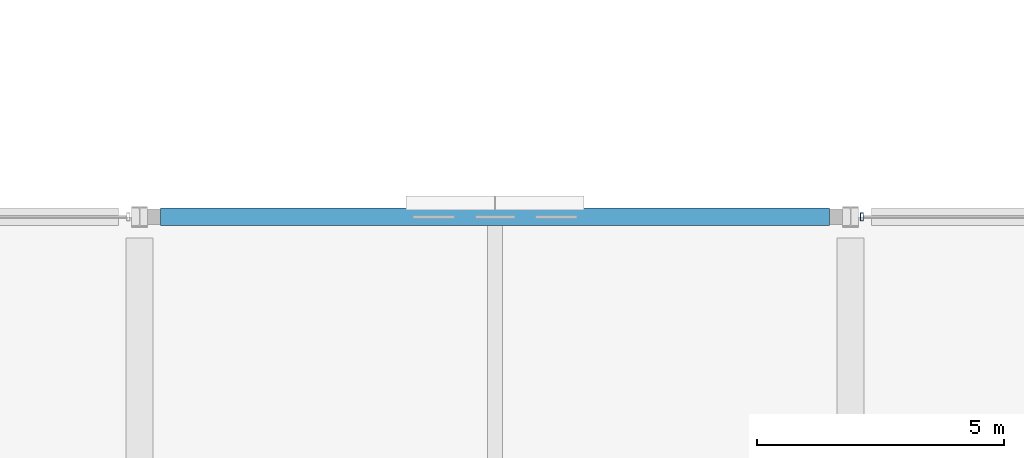
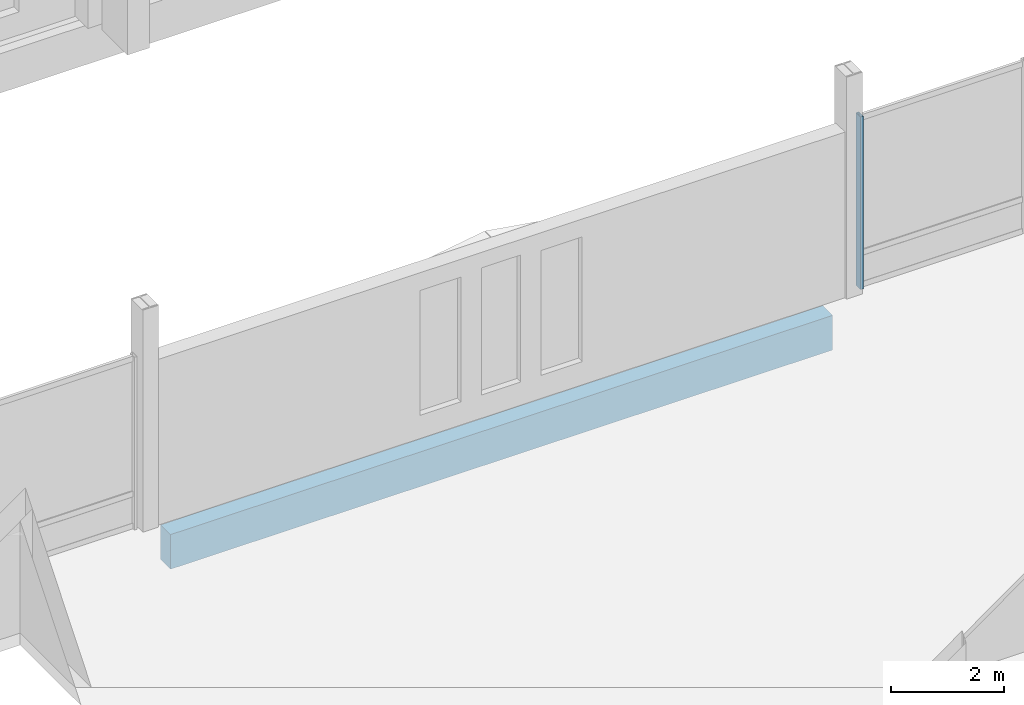
# One storey, part 44 of 220: 1 beam, 1 member, 1 element without a shape of its own.
"""IFC4 building model written with IfcOpenShell, lengths in metres."""

from ifc_helpers import new_model, si_unit, direction, frame, origin, origin_2d, place, context, subcontext, project, spatial, rectangle, hollow_rectangle, extrude, material, material_profile, profile_set, type_object, element, aggregate, save


model = new_model("IFC4")

# Units and contexts
model_context = context("Model", 3, precision=1e-05, world=origin(), true_north=direction((0.0, 1.0)))
body_context = subcontext(model_context, "Body", "Model", "MODEL_VIEW")
ifc_project = project(units=[si_unit("LENGTHUNIT", "METRE"), si_unit("AREAUNIT", "SQUARE_METRE"), si_unit("VOLUMEUNIT", "CUBIC_METRE"), si_unit("PLANEANGLEUNIT", "RADIAN"), si_unit("MASSUNIT", "GRAM", prefix="KILO")], contexts=[model_context])

# Site, building, storey
site_placement = place(None, origin())
site = spatial("IfcSite", under=ifc_project, at=site_placement, CompositionType="ELEMENT")
building_placement = place(site_placement, origin())
building = spatial("IfcBuilding", under=site, at=building_placement, Name="Cendralis Lancet Convention Centre", CompositionType="ELEMENT")
storey_placement = place(building_placement, frame((0.0, 0.0, 5.39990234375)))
storey = spatial("IfcBuildingStorey", under=building, at=storey_placement, Name="L01", CompositionType="ELEMENT", Elevation=5.39990234375)

# Curtain wall, member
ifc_material_1 = material(Name="Anodised bronze architectural aluminium", Category="aluminium")
curtain_wall_type = type_object("IfcCurtainWallType", Name="ARC-CW-CL02", PredefinedType="USERDEFINED", material=ifc_material_1)
curtain_wall_placement = place(storey_placement, origin())
curtain_wall = element("IfcCurtainWall", 1, at=curtain_wall_placement, inside=storey, type_object=curtain_wall_type, Name="L01 Curtain Wall CW-CL2 #169", ObjectType="CURTAIN WALL", PredefinedType="USERDEFINED")
ifc_material_profile_1 = material_profile(ifc_material_1, hollow_rectangle(XDim=0.06005859375, YDim=0.159912109375, WallThickness=0.00390625, at=origin_2d()), Name="AL-MULL 60x160x4.0")
ifc_profile_set_1 = profile_set([ifc_material_profile_1], Name="Anodised bronze architectural aluminium")
member_type = type_object("IfcMemberType", Name="ARC-CW-ML01", PredefinedType="MULLION", material=ifc_profile_set_1)
member_placement = place(storey_placement, frame((122.6298828125, 36.0, 0.0), z_axis=(0.0, 0.0, 1.0), x_axis=(1.0, 0.0, 0.0)))
member = element("IfcMember", 2, at=member_placement, type_object=member_type, Name="Mullion CW2-CW-CL2-L01-169-M0", PredefinedType="MULLION", context=body_context, shape_type="SweptSolid", body=[
    extrude(hollow_rectangle(XDim=0.06005859375, YDim=0.159912109375, WallThickness=0.00390625, at=origin_2d()), origin(), (0.0, 0.0, 1.0), 3.735107421875),
])
aggregate(curtain_wall, [member])

# Beam
ifc_material_2 = material(Name="Concrete G40 (C40/50)", Category="concrete")
ifc_material_profile_2 = material_profile(ifc_material_2, rectangle(XDim=0.35009765625, YDim=0.75, at=origin_2d()), Name="RCB 350x750")
ifc_profile_set_2 = profile_set([ifc_material_profile_2], Name="Concrete G40 (C40/50)")
beam_type = type_object("IfcBeamType", Name="STR-SP-SP01", PredefinedType="SPANDREL", material=ifc_profile_set_2)
beam_placement = place(storey_placement, frame((108.425048828125, 36.0, -0.65478515625), z_axis=(1.0, 0.0, 0.0), x_axis=(0.0, 1.0, 0.0)))
element("IfcBeam", 3, at=beam_placement, inside=storey, type_object=beam_type, Name="L01 Beam SP01 #0770", PredefinedType="SPANDREL", context=body_context, shape_type="SweptSolid", body=[
    extrude(rectangle(XDim=0.35009765625, YDim=0.75, at=origin_2d()), origin(), (0.0, 0.0, 1.0), 13.550048828125),
])

save(model, "model.ifc")
